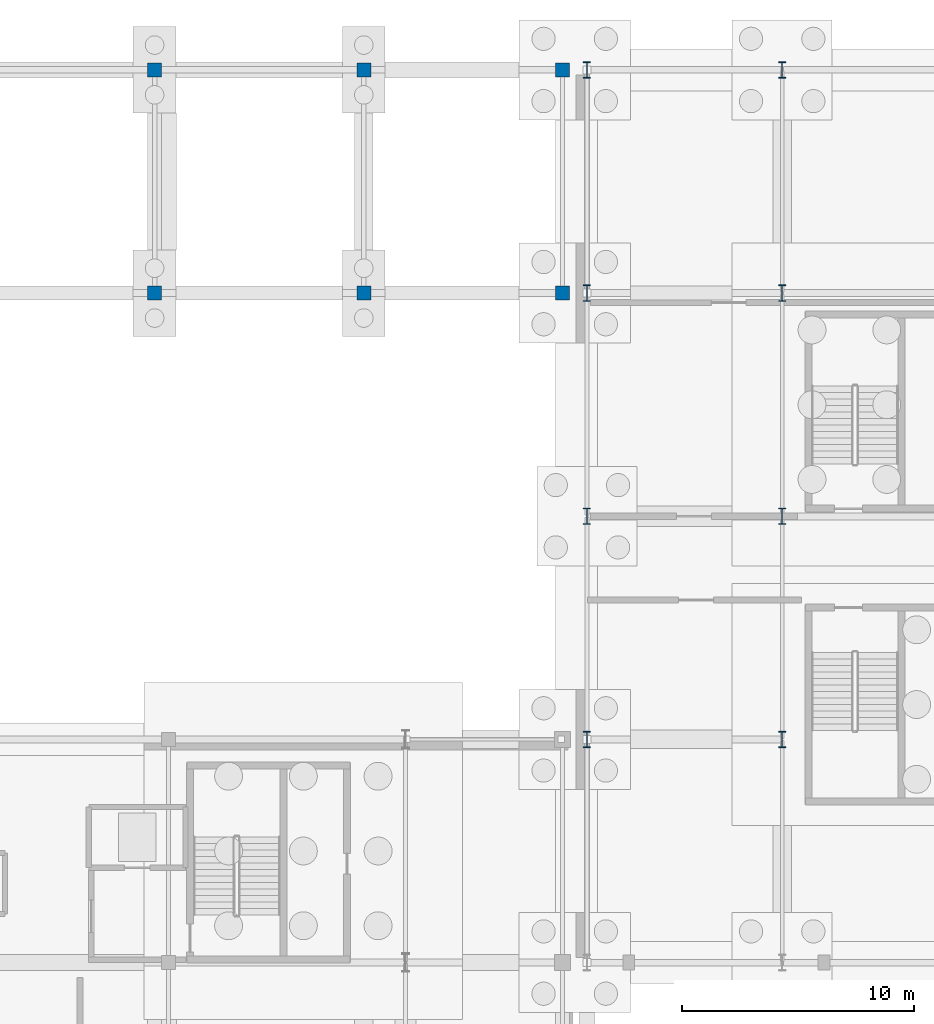
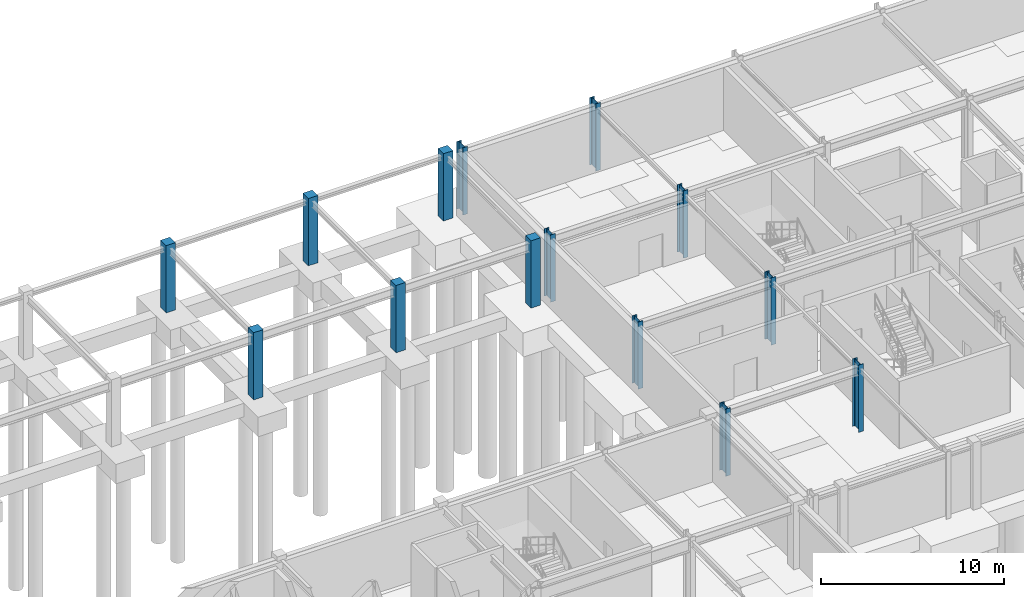
# One storey, part 22 of 59: 14 columns.
"""IFC4 building model written with IfcOpenShell, lengths in metres."""

from ifc_helpers import new_model, si_unit, direction, frame, origin, origin_2d, place, context, subcontext, project, spatial, rectangle, i_section, extrude, material, material_profile, profile_set, type_object, element, save


model = new_model("IFC4")

# Units and contexts
model_context = context("Model", 3, precision=1e-05, world=origin(), true_north=direction((0.0, 1.0)))
body_context = subcontext(model_context, "Body", "Model", "MODEL_VIEW")
ifc_project = project(units=[si_unit("LENGTHUNIT", "METRE"), si_unit("AREAUNIT", "SQUARE_METRE"), si_unit("VOLUMEUNIT", "CUBIC_METRE"), si_unit("PLANEANGLEUNIT", "RADIAN"), si_unit("MASSUNIT", "GRAM", prefix="KILO")], contexts=[model_context])

# Site, building, storey
site_placement = place(None, origin())
site = spatial("IfcSite", under=ifc_project, at=site_placement, CompositionType="ELEMENT")
building_placement = place(site_placement, origin())
building = spatial("IfcBuilding", under=site, at=building_placement, Name="Myrtia Square Station", CompositionType="ELEMENT")
storey_placement = place(building_placement, frame((0.0, 0.0, -4.5)))
storey = spatial("IfcBuildingStorey", under=building, at=storey_placement, Name="B01", CompositionType="ELEMENT", Elevation=-4.5)

# Columns
ifc_material_1 = material(Name="Steel S355", Category="steel")
ifc_material_profile_1 = material_profile(ifc_material_1, i_section(OverallWidth=0.300048828125, OverallDepth=0.699951171875, WebThickness=0.01708984375, FlangeThickness=0.031982421875, FilletRadius=0.027099609375, at=origin_2d()), Name="HEB 700")
ifc_profile_set_1 = profile_set([ifc_material_profile_1], Name="Steel S355")
column_type_1 = type_object("IfcColumnType", Name="COL-HEB700", PredefinedType="COLUMN", material=ifc_profile_set_1)
for number, where, z_axis, x_axis, name in (
    (1, (117.60009765625, 96.0, 0.0), (0.0, 0.0, 1.0), (1.0, 0.0, 0.0), "Column B01-0763"),
    (2, (117.60009765625, 105.60009765625, 0.0), (0.0, 0.0, 1.0), (1.0, 0.0, 0.0), "Column B01-0767"),
    (3, (117.60009765625, 115.199951171875, 0.0), (0.0, 0.0, 1.0), (1.0, 0.0, 0.0), "Column B01-0771"),
    (4, (117.60009765625, 124.800048828125, 0.0), (0.0, 0.0, 1.0), (1.0, 0.0, 0.0), "Column B01-0775"),
    (5, (126.0, 96.0, 0.0), (0.0, 0.0, 1.0), (1.0, 0.0, 0.0), "Column B01-0785"),
    (6, (126.0, 105.60009765625, 0.0), (0.0, 0.0, 1.0), (1.0, 0.0, 0.0), "Column B01-0791"),
    (7, (126.0, 115.199951171875, 0.0), (0.0, 0.0, 1.0), (1.0, 0.0, 0.0), "Column B01-0797"),
    (8, (126.0, 124.800048828125, 0.0), (0.0, 0.0, 1.0), (1.0, 0.0, 0.0), "Column B01-0803"),
):
    element("IfcColumn", number, at=place(storey_placement, frame(where, z_axis=z_axis, x_axis=x_axis)), inside=storey, type_object=column_type_1, Name=name, PredefinedType="COLUMN", context=body_context, shape_type="SweptSolid", body=[
        extrude(i_section(OverallWidth=0.300048828125, OverallDepth=0.699951171875, WebThickness=0.01708984375, FlangeThickness=0.031982421875, FilletRadius=0.027099609375, at=origin_2d()), origin(), (0.0, 0.0, 1.0), 4.5),
    ])
ifc_material_2 = material(Name="Concrete C40/50", Category="concrete")
ifc_material_profile_2 = material_profile(ifc_material_2, rectangle(XDim=0.60009765625, YDim=0.60009765625, at=origin_2d()), Name="RC 600x600")
ifc_profile_set_2 = profile_set([ifc_material_profile_2], Name="Concrete C40/50")
column_type_2 = type_object("IfcColumnType", Name="COL-RC600", PredefinedType="COLUMN", material=ifc_profile_set_2)
for number, where, z_axis, x_axis, name in (
    (9, (99.0, 115.199951171875, 0.0), (0.0, 0.0, 1.0), (1.0, 0.0, 0.0), "Column B01-0747"),
    (10, (99.0, 124.800048828125, 0.0), (0.0, 0.0, 1.0), (1.0, 0.0, 0.0), "Column B01-0749"),
    (11, (108.0, 115.199951171875, 0.0), (0.0, 0.0, 1.0), (1.0, 0.0, 0.0), "Column B01-0751"),
    (12, (108.0, 124.800048828125, 0.0), (0.0, 0.0, 1.0), (1.0, 0.0, 0.0), "Column B01-0753"),
    (13, (116.550048828125, 115.199951171875, 0.0), (0.0, 0.0, 1.0), (1.0, 0.0, 0.0), "Column B01-0755"),
    (14, (116.550048828125, 124.800048828125, 0.0), (0.0, 0.0, 1.0), (1.0, 0.0, 0.0), "Column B01-0757"),
):
    element("IfcColumn", number, at=place(storey_placement, frame(where, z_axis=z_axis, x_axis=x_axis)), inside=storey, type_object=column_type_2, Name=name, PredefinedType="COLUMN", context=body_context, shape_type="SweptSolid", body=[
        extrude(rectangle(XDim=0.60009765625, YDim=0.60009765625, at=origin_2d()), origin(), (0.0, 0.0, 1.0), 4.5),
    ])

save(model, "model.ifc")
